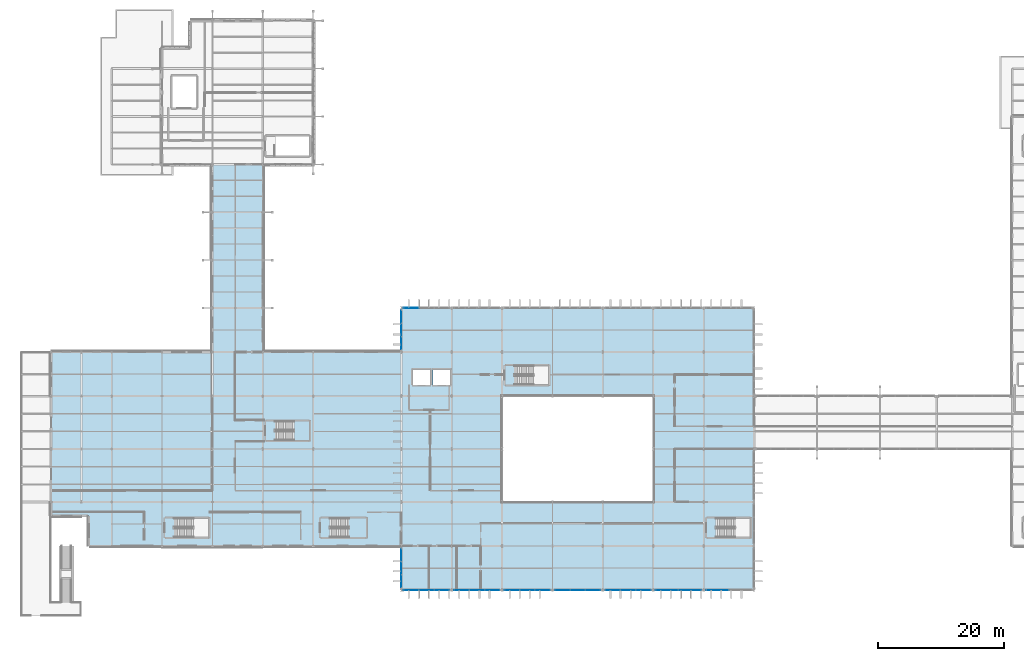
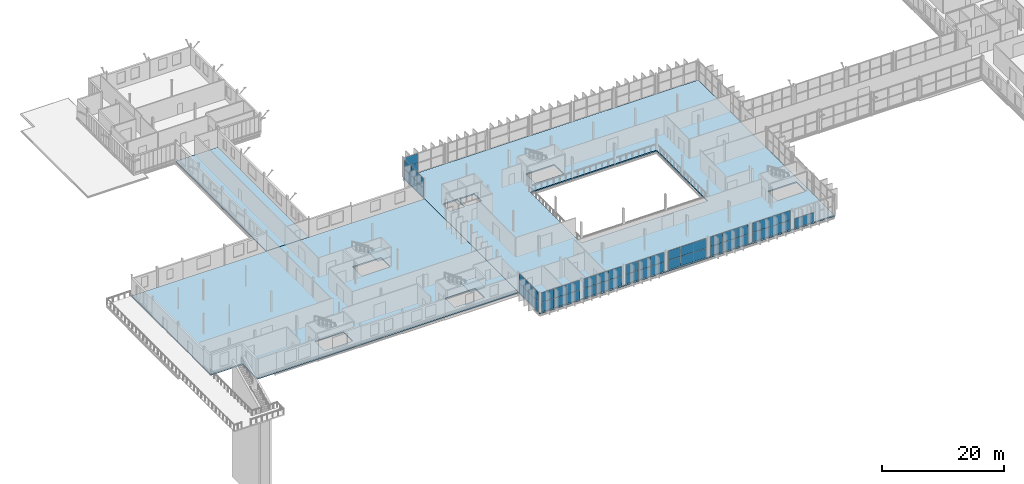
# One storey, part 68 of 101: 49 plates, 5 slabs, 12 elements without a shape of their own.
"""IFC4 building model written with IfcOpenShell, lengths in metres."""

from ifc_helpers import new_model, si_unit, direction, frame, origin, origin_2d, place, context, subcontext, project, spatial, polyline, rectangle, outline, extrude, material, layer, layer_set, type_object, element, aggregate, save


model = new_model("IFC4")

# Units and contexts
model_context = context("Model", 3, precision=1e-05, world=origin(), true_north=direction((0.0, 1.0)))
body_context = subcontext(model_context, "Body", "Model", "MODEL_VIEW")
ifc_project = project(units=[si_unit("LENGTHUNIT", "METRE"), si_unit("AREAUNIT", "SQUARE_METRE"), si_unit("VOLUMEUNIT", "CUBIC_METRE"), si_unit("PLANEANGLEUNIT", "RADIAN"), si_unit("MASSUNIT", "GRAM", prefix="KILO")], contexts=[model_context])

# Site, building, storey
site_placement = place(None, origin())
site = spatial("IfcSite", under=ifc_project, at=site_placement, CompositionType="ELEMENT")
building_placement = place(site_placement, origin())
building = spatial("IfcBuilding", under=site, at=building_placement, Name="Vekula Escarpment Museum", CompositionType="ELEMENT")
storey_placement = place(building_placement, frame((0.0, 0.0, 18.0)))
storey = spatial("IfcBuildingStorey", under=building, at=storey_placement, Name="L04", CompositionType="ELEMENT", Elevation=18.0)

# Curtain wall, plates
ifc_material_1 = material(Name="Aluminium thermally broken framing", Category="aluminium")
ifc_layer_1 = layer(ifc_material_1, 0.159912109375)
ifc_layer_set_1 = layer_set([ifc_layer_1], Name="Aluminium thermally broken framing")
curtain_wall_type_1 = type_object("IfcCurtainWallType", Name="CW-SYS-02", PredefinedType="NOTDEFINED", material=ifc_layer_set_1)
curtain_wall_1_placement = place(storey_placement, origin())
curtain_wall_1 = element("IfcCurtainWall", 1, at=curtain_wall_1_placement, inside=storey, type_object=curtain_wall_type_1, Name="Curtain Wall CW-L04-132", PredefinedType="NOTDEFINED")
ifc_material_2 = material(Name="Double solar-control low-E glass", Category="glass")
ifc_layer_2 = layer(ifc_material_2, 0.028076171875)
ifc_layer_set_2 = layer_set([ifc_layer_2], Name="Double solar-control low-E glass")
plate_type_1 = type_object("IfcPlateType", Name="CW-PNL-28", PredefinedType="CURTAIN_PANEL", material=ifc_layer_set_2)
plate_1_placement = place(storey_placement, frame((71.58837890625, 45.60009765625, 0.06005859375), z_axis=(0.0, 0.0, 1.0), x_axis=(1.0, 0.0, 0.0)))
plate_1 = element("IfcPlate", 2, at=plate_1_placement, type_object=plate_type_1, Name="CW-02 panel 1.1", PredefinedType="CURTAIN_PANEL", context=body_context, shape_type="SweptSolid", body=[
    extrude(rectangle(XDim=2.336669921875, YDim=0.028076171875, at=origin_2d()), origin(), (0.0, 0.0, 1.0), 1.89990234375),
])
plate_2_placement = place(storey_placement, frame((71.58837890625, 45.60009765625, 2.02001953125), z_axis=(0.0, 0.0, 1.0), x_axis=(1.0, 0.0, 0.0)))
plate_2 = element("IfcPlate", 3, at=plate_2_placement, type_object=plate_type_1, Name="CW-02 panel 1.2", PredefinedType="CURTAIN_PANEL", context=body_context, shape_type="SweptSolid", body=[
    extrude(rectangle(XDim=2.336669921875, YDim=0.028076171875, at=origin_2d()), origin(), (0.0, 0.0, 1.0), 1.89990234375),
])
plate_3_placement = place(storey_placement, frame((74.0, 45.60009765625, 0.06005859375), z_axis=(0.0, 0.0, 1.0), x_axis=(1.0, 0.0, 0.0)))
plate_3 = element("IfcPlate", 4, at=plate_3_placement, type_object=plate_type_1, Name="CW-02 panel 2.1", PredefinedType="CURTAIN_PANEL", context=body_context, shape_type="SweptSolid", body=[
    extrude(rectangle(XDim=2.36669921875, YDim=0.028076171875, at=origin_2d()), origin(), (0.0, 0.0, 1.0), 1.89990234375),
])
plate_4_placement = place(storey_placement, frame((74.0, 45.60009765625, 2.02001953125), z_axis=(0.0, 0.0, 1.0), x_axis=(1.0, 0.0, 0.0)))
plate_4 = element("IfcPlate", 5, at=plate_4_placement, type_object=plate_type_1, Name="CW-02 panel 2.2", PredefinedType="CURTAIN_PANEL", context=body_context, shape_type="SweptSolid", body=[
    extrude(rectangle(XDim=2.36669921875, YDim=0.028076171875, at=origin_2d()), origin(), (0.0, 0.0, 1.0), 1.89990234375),
])
plate_5_placement = place(storey_placement, frame((76.41162109375, 45.60009765625, 0.06005859375), z_axis=(0.0, 0.0, 1.0), x_axis=(1.0, 0.0, 0.0)))
plate_5 = element("IfcPlate", 6, at=plate_5_placement, type_object=plate_type_1, Name="CW-02 panel 3.1", PredefinedType="CURTAIN_PANEL", context=body_context, shape_type="SweptSolid", body=[
    extrude(rectangle(XDim=2.336669921875, YDim=0.028076171875, at=origin_2d()), origin(), (0.0, 0.0, 1.0), 1.89990234375),
])
plate_6_placement = place(storey_placement, frame((76.41162109375, 45.60009765625, 2.02001953125), z_axis=(0.0, 0.0, 1.0), x_axis=(1.0, 0.0, 0.0)))
plate_6 = element("IfcPlate", 7, at=plate_6_placement, type_object=plate_type_1, Name="CW-02 panel 3.2", PredefinedType="CURTAIN_PANEL", context=body_context, shape_type="SweptSolid", body=[
    extrude(rectangle(XDim=2.336669921875, YDim=0.028076171875, at=origin_2d()), origin(), (0.0, 0.0, 1.0), 1.89990234375),
])
aggregate(curtain_wall_1, [plate_1, plate_2, plate_3, plate_4, plate_5, plate_6])

ifc_material_3 = material(Name="Aluminium thermally broken framing", Category="aluminium")
ifc_layer_3 = layer(ifc_material_3, 0.139892578125)
ifc_layer_set_3 = layer_set([ifc_layer_3], Name="Aluminium thermally broken framing")
curtain_wall_type_2 = type_object("IfcCurtainWallType", Name="CW-SYS-06", PredefinedType="NOTDEFINED", material=ifc_layer_set_3)
curtain_wall_2_placement = place(storey_placement, origin())
curtain_wall_2 = element("IfcCurtainWall", 8, at=curtain_wall_2_placement, inside=storey, type_object=curtain_wall_type_2, Name="Curtain Wall CW-L04-136", PredefinedType="NOTDEFINED")
plate_7_placement = place(storey_placement, frame((103.58837890625, 45.60009765625, 0.06005859375), z_axis=(0.0, 0.0, 1.0), x_axis=(1.0, 0.0, 0.0)))
plate_7 = element("IfcPlate", 9, at=plate_7_placement, type_object=plate_type_1, Name="CW-06 panel 1.1", PredefinedType="CURTAIN_PANEL", context=body_context, shape_type="SweptSolid", body=[
    extrude(rectangle(XDim=2.336669921875, YDim=0.028076171875, at=origin_2d()), origin(), (0.0, 0.0, 1.0), 1.89990234375),
])
plate_8_placement = place(storey_placement, frame((103.58837890625, 45.60009765625, 2.02001953125), z_axis=(0.0, 0.0, 1.0), x_axis=(1.0, 0.0, 0.0)))
plate_8 = element("IfcPlate", 10, at=plate_8_placement, type_object=plate_type_1, Name="CW-06 panel 1.2", PredefinedType="CURTAIN_PANEL", context=body_context, shape_type="SweptSolid", body=[
    extrude(rectangle(XDim=2.336669921875, YDim=0.028076171875, at=origin_2d()), origin(), (0.0, 0.0, 1.0), 1.89990234375),
])
plate_9_placement = place(storey_placement, frame((106.0, 45.60009765625, 0.06005859375), z_axis=(0.0, 0.0, 1.0), x_axis=(1.0, 0.0, 0.0)))
plate_9 = element("IfcPlate", 11, at=plate_9_placement, type_object=plate_type_1, Name="CW-06 panel 2.1", PredefinedType="CURTAIN_PANEL", context=body_context, shape_type="SweptSolid", body=[
    extrude(rectangle(XDim=2.36669921875, YDim=0.028076171875, at=origin_2d()), origin(), (0.0, 0.0, 1.0), 1.89990234375),
])
plate_10_placement = place(storey_placement, frame((106.0, 45.60009765625, 2.02001953125), z_axis=(0.0, 0.0, 1.0), x_axis=(1.0, 0.0, 0.0)))
plate_10 = element("IfcPlate", 12, at=plate_10_placement, type_object=plate_type_1, Name="CW-06 panel 2.2", PredefinedType="CURTAIN_PANEL", context=body_context, shape_type="SweptSolid", body=[
    extrude(rectangle(XDim=2.36669921875, YDim=0.028076171875, at=origin_2d()), origin(), (0.0, 0.0, 1.0), 1.89990234375),
])
plate_11_placement = place(storey_placement, frame((108.41162109375, 45.60009765625, 0.06005859375), z_axis=(0.0, 0.0, 1.0), x_axis=(1.0, 0.0, 0.0)))
plate_11 = element("IfcPlate", 13, at=plate_11_placement, type_object=plate_type_1, Name="CW-06 panel 3.1", PredefinedType="CURTAIN_PANEL", context=body_context, shape_type="SweptSolid", body=[
    extrude(rectangle(XDim=2.336669921875, YDim=0.028076171875, at=origin_2d()), origin(), (0.0, 0.0, 1.0), 1.89990234375),
])
plate_12_placement = place(storey_placement, frame((108.41162109375, 45.60009765625, 2.02001953125), z_axis=(0.0, 0.0, 1.0), x_axis=(1.0, 0.0, 0.0)))
plate_12 = element("IfcPlate", 14, at=plate_12_placement, type_object=plate_type_1, Name="CW-06 panel 3.2", PredefinedType="CURTAIN_PANEL", context=body_context, shape_type="SweptSolid", body=[
    extrude(rectangle(XDim=2.336669921875, YDim=0.028076171875, at=origin_2d()), origin(), (0.0, 0.0, 1.0), 1.89990234375),
])
aggregate(curtain_wall_2, [plate_7, plate_8, plate_9, plate_10, plate_11, plate_12])

ifc_material_4 = material(Name="Aluminium thermally broken framing", Category="aluminium")
ifc_layer_4 = layer(ifc_material_4, 0.169921875)
ifc_layer_set_4 = layer_set([ifc_layer_4], Name="Aluminium thermally broken framing")
curtain_wall_type_3 = type_object("IfcCurtainWallType", Name="CW-SYS-10", PredefinedType="NOTDEFINED", material=ifc_layer_set_4)
curtain_wall_3_placement = place(storey_placement, origin())
curtain_wall_3 = element("IfcCurtainWall", 15, at=curtain_wall_3_placement, inside=storey, type_object=curtain_wall_type_3, Name="Curtain Wall CW-L04-160", PredefinedType="NOTDEFINED")
plate_13_placement = place(storey_placement, frame((71.58837890625, 90.39990234375, 0.06005859375), z_axis=(0.0, 0.0, 1.0), x_axis=(-1.0, 0.0, 0.0)))
plate_13 = element("IfcPlate", 16, at=plate_13_placement, type_object=plate_type_1, Name="CW-10 panel 3.1", PredefinedType="CURTAIN_PANEL", context=body_context, shape_type="SweptSolid", body=[
    extrude(rectangle(XDim=2.336669921875, YDim=0.028076171875, at=origin_2d()), origin(), (0.0, 0.0, 1.0), 1.89990234375),
])
plate_14_placement = place(storey_placement, frame((71.58837890625, 90.39990234375, 2.02001953125), z_axis=(0.0, 0.0, 1.0), x_axis=(-1.0, 0.0, 0.0)))
plate_14 = element("IfcPlate", 17, at=plate_14_placement, type_object=plate_type_1, Name="CW-10 panel 3.2", PredefinedType="CURTAIN_PANEL", context=body_context, shape_type="SweptSolid", body=[
    extrude(rectangle(XDim=2.336669921875, YDim=0.028076171875, at=origin_2d()), origin(), (0.0, 0.0, 1.0), 1.89990234375),
])
aggregate(curtain_wall_3, [plate_13, plate_14])

ifc_material_5 = material(Name="Aluminium thermally broken framing", Category="aluminium")
ifc_layer_5 = layer(ifc_material_5, 0.199951171875)
ifc_layer_set_5 = layer_set([ifc_layer_5], Name="Aluminium thermally broken framing")
curtain_wall_type_4 = type_object("IfcCurtainWallType", Name="CW-SYS-03", PredefinedType="NOTDEFINED", material=ifc_layer_set_5)
curtain_wall_4_placement = place(storey_placement, origin())
curtain_wall_4 = element("IfcCurtainWall", 18, at=curtain_wall_4_placement, inside=storey, type_object=curtain_wall_type_4, Name="Curtain Wall CW-L04-133", PredefinedType="NOTDEFINED")
ifc_material_6 = material(Name="Acoustic laminated double low-E glass", Category="glass")
ifc_layer_6 = layer(ifc_material_6, 0.031982421875)
ifc_layer_set_6 = layer_set([ifc_layer_6], Name="Acoustic laminated double low-E glass")
plate_type_2 = type_object("IfcPlateType", Name="CW-PNL-32", PredefinedType="CURTAIN_PANEL", material=ifc_layer_set_6)
plate_15_placement = place(storey_placement, frame((79.58837890625, 45.60009765625, 0.06005859375), z_axis=(0.0, 0.0, 1.0), x_axis=(1.0, 0.0, 0.0)))
plate_15 = element("IfcPlate", 19, at=plate_15_placement, type_object=plate_type_2, Name="CW-03 panel 1.1", PredefinedType="CURTAIN_PANEL", context=body_context, shape_type="SweptSolid", body=[
    extrude(rectangle(XDim=2.336669921875, YDim=0.031982421875, at=origin_2d()), origin(), (0.0, 0.0, 1.0), 1.89990234375),
])
plate_16_placement = place(storey_placement, frame((79.58837890625, 45.60009765625, 2.02001953125), z_axis=(0.0, 0.0, 1.0), x_axis=(1.0, 0.0, 0.0)))
plate_16 = element("IfcPlate", 20, at=plate_16_placement, type_object=plate_type_2, Name="CW-03 panel 1.2", PredefinedType="CURTAIN_PANEL", context=body_context, shape_type="SweptSolid", body=[
    extrude(rectangle(XDim=2.336669921875, YDim=0.031982421875, at=origin_2d()), origin(), (0.0, 0.0, 1.0), 1.89990234375),
])
plate_17_placement = place(storey_placement, frame((82.0, 45.60009765625, 0.06005859375), z_axis=(0.0, 0.0, 1.0), x_axis=(1.0, 0.0, 0.0)))
plate_17 = element("IfcPlate", 21, at=plate_17_placement, type_object=plate_type_2, Name="CW-03 panel 2.1", PredefinedType="CURTAIN_PANEL", context=body_context, shape_type="SweptSolid", body=[
    extrude(rectangle(XDim=2.36669921875, YDim=0.031982421875, at=origin_2d()), origin(), (0.0, 0.0, 1.0), 1.89990234375),
])
plate_18_placement = place(storey_placement, frame((82.0, 45.60009765625, 2.02001953125), z_axis=(0.0, 0.0, 1.0), x_axis=(1.0, 0.0, 0.0)))
plate_18 = element("IfcPlate", 22, at=plate_18_placement, type_object=plate_type_2, Name="CW-03 panel 2.2", PredefinedType="CURTAIN_PANEL", context=body_context, shape_type="SweptSolid", body=[
    extrude(rectangle(XDim=2.36669921875, YDim=0.031982421875, at=origin_2d()), origin(), (0.0, 0.0, 1.0), 1.89990234375),
])
plate_19_placement = place(storey_placement, frame((84.41162109375, 45.60009765625, 0.06005859375), z_axis=(0.0, 0.0, 1.0), x_axis=(1.0, 0.0, 0.0)))
plate_19 = element("IfcPlate", 23, at=plate_19_placement, type_object=plate_type_2, Name="CW-03 panel 3.1", PredefinedType="CURTAIN_PANEL", context=body_context, shape_type="SweptSolid", body=[
    extrude(rectangle(XDim=2.336669921875, YDim=0.031982421875, at=origin_2d()), origin(), (0.0, 0.0, 1.0), 1.89990234375),
])
plate_20_placement = place(storey_placement, frame((84.41162109375, 45.60009765625, 2.02001953125), z_axis=(0.0, 0.0, 1.0), x_axis=(1.0, 0.0, 0.0)))
plate_20 = element("IfcPlate", 24, at=plate_20_placement, type_object=plate_type_2, Name="CW-03 panel 3.2", PredefinedType="CURTAIN_PANEL", context=body_context, shape_type="SweptSolid", body=[
    extrude(rectangle(XDim=2.336669921875, YDim=0.031982421875, at=origin_2d()), origin(), (0.0, 0.0, 1.0), 1.89990234375),
])
aggregate(curtain_wall_4, [plate_15, plate_16, plate_17, plate_18, plate_19, plate_20])

ifc_material_7 = material(Name="Aluminium thermally broken framing", Category="aluminium")
ifc_layer_7 = layer(ifc_material_7, 0.179931640625)
ifc_layer_set_7 = layer_set([ifc_layer_7], Name="Aluminium thermally broken framing")
curtain_wall_type_5 = type_object("IfcCurtainWallType", Name="CW-SYS-07", PredefinedType="NOTDEFINED", material=ifc_layer_set_7)
curtain_wall_5_placement = place(storey_placement, origin())
curtain_wall_5 = element("IfcCurtainWall", 25, at=curtain_wall_5_placement, inside=storey, type_object=curtain_wall_type_5, Name="Curtain Wall CW-L04-137", PredefinedType="NOTDEFINED")
plate_21_placement = place(storey_placement, frame((112.195068359375, 45.60009765625, 0.06005859375), z_axis=(0.0, 0.0, 1.0), x_axis=(1.0, 0.0, 0.0)))
plate_21 = element("IfcPlate", 26, at=plate_21_placement, type_object=plate_type_2, Name="CW-07 panel 1.1", PredefinedType="CURTAIN_PANEL", context=body_context, shape_type="SweptSolid", body=[
    extrude(rectangle(XDim=3.550048828125, YDim=0.031982421875, at=origin_2d()), origin(), (0.0, 0.0, 1.0), 1.89990234375),
])
plate_22_placement = place(storey_placement, frame((112.195068359375, 45.60009765625, 2.02001953125), z_axis=(0.0, 0.0, 1.0), x_axis=(1.0, 0.0, 0.0)))
plate_22 = element("IfcPlate", 27, at=plate_22_placement, type_object=plate_type_2, Name="CW-07 panel 1.2", PredefinedType="CURTAIN_PANEL", context=body_context, shape_type="SweptSolid", body=[
    extrude(rectangle(XDim=3.550048828125, YDim=0.031982421875, at=origin_2d()), origin(), (0.0, 0.0, 1.0), 1.89990234375),
])
plate_23_placement = place(storey_placement, frame((115.804931640625, 45.60009765625, 0.06005859375), z_axis=(0.0, 0.0, 1.0), x_axis=(1.0, 0.0, 0.0)))
plate_23 = element("IfcPlate", 28, at=plate_23_placement, type_object=plate_type_2, Name="CW-07 panel 2.1", PredefinedType="CURTAIN_PANEL", context=body_context, shape_type="SweptSolid", body=[
    extrude(rectangle(XDim=3.550048828125, YDim=0.031982421875, at=origin_2d()), origin(), (0.0, 0.0, 1.0), 1.89990234375),
])
plate_24_placement = place(storey_placement, frame((115.804931640625, 45.60009765625, 2.02001953125), z_axis=(0.0, 0.0, 1.0), x_axis=(1.0, 0.0, 0.0)))
plate_24 = element("IfcPlate", 29, at=plate_24_placement, type_object=plate_type_2, Name="CW-07 panel 2.2", PredefinedType="CURTAIN_PANEL", context=body_context, shape_type="SweptSolid", body=[
    extrude(rectangle(XDim=3.550048828125, YDim=0.031982421875, at=origin_2d()), origin(), (0.0, 0.0, 1.0), 1.89990234375),
])
aggregate(curtain_wall_5, [plate_21, plate_22, plate_23, plate_24])

ifc_material_8 = material(Name="Aluminium thermally broken framing", Category="aluminium")
ifc_layer_8 = layer(ifc_material_8, 0.159912109375)
ifc_layer_set_8 = layer_set([ifc_layer_8], Name="Aluminium thermally broken framing")
curtain_wall_type_6 = type_object("IfcCurtainWallType", Name="CW-SYS-01", PredefinedType="NOTDEFINED", material=ifc_layer_set_8)
curtain_wall_6_placement = place(storey_placement, origin())
curtain_wall_6 = element("IfcCurtainWall", 30, at=curtain_wall_6_placement, inside=storey, type_object=curtain_wall_type_6, Name="Curtain Wall CW-L04-161", PredefinedType="NOTDEFINED")
plate_25_placement = place(storey_placement, frame((70.0, 88.978271484375, 0.06005859375), z_axis=(0.0, 0.0, 1.0), x_axis=(0.0, -1.0, 0.0)))
plate_25 = element("IfcPlate", 31, at=plate_25_placement, type_object=plate_type_2, Name="CW-01 panel 1.1", PredefinedType="CURTAIN_PANEL", context=body_context, shape_type="SweptSolid", body=[
    extrude(rectangle(XDim=2.00341796875, YDim=0.031982421875, at=origin_2d()), origin(), (0.0, 0.0, 1.0), 1.89990234375),
])
plate_26_placement = place(storey_placement, frame((70.0, 88.978271484375, 2.02001953125), z_axis=(0.0, 0.0, 1.0), x_axis=(0.0, -1.0, 0.0)))
plate_26 = element("IfcPlate", 32, at=plate_26_placement, type_object=plate_type_2, Name="CW-01 panel 1.2", PredefinedType="CURTAIN_PANEL", context=body_context, shape_type="SweptSolid", body=[
    extrude(rectangle(XDim=2.00341796875, YDim=0.031982421875, at=origin_2d()), origin(), (0.0, 0.0, 1.0), 1.89990234375),
])
plate_27_placement = place(storey_placement, frame((70.0, 86.89990234375, 0.06005859375), z_axis=(0.0, 0.0, 1.0), x_axis=(0.0, -1.0, 0.0)))
plate_27 = element("IfcPlate", 33, at=plate_27_placement, type_object=plate_type_2, Name="CW-01 panel 2.1", PredefinedType="CURTAIN_PANEL", context=body_context, shape_type="SweptSolid", body=[
    extrude(rectangle(XDim=2.033447265625, YDim=0.031982421875, at=origin_2d()), origin(), (0.0, 0.0, 1.0), 1.89990234375),
])
plate_28_placement = place(storey_placement, frame((70.0, 86.89990234375, 2.02001953125), z_axis=(0.0, 0.0, 1.0), x_axis=(0.0, -1.0, 0.0)))
plate_28 = element("IfcPlate", 34, at=plate_28_placement, type_object=plate_type_2, Name="CW-01 panel 2.2", PredefinedType="CURTAIN_PANEL", context=body_context, shape_type="SweptSolid", body=[
    extrude(rectangle(XDim=2.033447265625, YDim=0.031982421875, at=origin_2d()), origin(), (0.0, 0.0, 1.0), 1.89990234375),
])
plate_29_placement = place(storey_placement, frame((70.0, 84.82177734375, 0.06005859375), z_axis=(0.0, 0.0, 1.0), x_axis=(0.0, -1.0, 0.0)))
plate_29 = element("IfcPlate", 35, at=plate_29_placement, type_object=plate_type_2, Name="CW-01 panel 3.1", PredefinedType="CURTAIN_PANEL", context=body_context, shape_type="SweptSolid", body=[
    extrude(rectangle(XDim=2.00341796875, YDim=0.031982421875, at=origin_2d()), origin(), (0.0, 0.0, 1.0), 1.89990234375),
])
plate_30_placement = place(storey_placement, frame((70.0, 84.82177734375, 2.02001953125), z_axis=(0.0, 0.0, 1.0), x_axis=(0.0, -1.0, 0.0)))
plate_30 = element("IfcPlate", 36, at=plate_30_placement, type_object=plate_type_2, Name="CW-01 panel 3.2", PredefinedType="CURTAIN_PANEL", context=body_context, shape_type="SweptSolid", body=[
    extrude(rectangle(XDim=2.00341796875, YDim=0.031982421875, at=origin_2d()), origin(), (0.0, 0.0, 1.0), 1.89990234375),
])
aggregate(curtain_wall_6, [plate_25, plate_26, plate_27, plate_28, plate_29, plate_30])

ifc_material_9 = material(Name="Aluminium thermally broken framing", Category="aluminium")
ifc_layer_9 = layer(ifc_material_9, 0.199951171875)
ifc_layer_set_9 = layer_set([ifc_layer_9], Name="Aluminium thermally broken framing")
curtain_wall_type_7 = type_object("IfcCurtainWallType", Name="CW-SYS-04", PredefinedType="NOTDEFINED", material=ifc_layer_set_9)
curtain_wall_7_placement = place(storey_placement, origin())
curtain_wall_7 = element("IfcCurtainWall", 37, at=curtain_wall_7_placement, inside=storey, type_object=curtain_wall_type_7, Name="Curtain Wall CW-L04-134", PredefinedType="NOTDEFINED")
ifc_material_10 = material(Name="Triple UV-filtered museum gallery glass", Category="glass")
ifc_layer_10 = layer(ifc_material_10, 0.035888671875)
ifc_layer_set_10 = layer_set([ifc_layer_10], Name="Triple UV-filtered museum gallery glass")
plate_type_3 = type_object("IfcPlateType", Name="CW-PNL-36", PredefinedType="CURTAIN_PANEL", material=ifc_layer_set_10)
plate_31_placement = place(storey_placement, frame((87.58837890625, 45.60009765625, 0.06005859375), z_axis=(0.0, 0.0, 1.0), x_axis=(1.0, 0.0, 0.0)))
plate_31 = element("IfcPlate", 38, at=plate_31_placement, type_object=plate_type_3, Name="CW-04 panel 1.1", PredefinedType="CURTAIN_PANEL", context=body_context, shape_type="SweptSolid", body=[
    extrude(rectangle(XDim=2.336669921875, YDim=0.035888671875, at=origin_2d()), origin(), (0.0, 0.0, 1.0), 1.89990234375),
])
plate_32_placement = place(storey_placement, frame((87.58837890625, 45.60009765625, 2.02001953125), z_axis=(0.0, 0.0, 1.0), x_axis=(1.0, 0.0, 0.0)))
plate_32 = element("IfcPlate", 39, at=plate_32_placement, type_object=plate_type_3, Name="CW-04 panel 1.2", PredefinedType="CURTAIN_PANEL", context=body_context, shape_type="SweptSolid", body=[
    extrude(rectangle(XDim=2.336669921875, YDim=0.035888671875, at=origin_2d()), origin(), (0.0, 0.0, 1.0), 1.89990234375),
])
plate_33_placement = place(storey_placement, frame((90.0, 45.60009765625, 0.06005859375), z_axis=(0.0, 0.0, 1.0), x_axis=(1.0, 0.0, 0.0)))
plate_33 = element("IfcPlate", 40, at=plate_33_placement, type_object=plate_type_3, Name="CW-04 panel 2.1", PredefinedType="CURTAIN_PANEL", context=body_context, shape_type="SweptSolid", body=[
    extrude(rectangle(XDim=2.36669921875, YDim=0.035888671875, at=origin_2d()), origin(), (0.0, 0.0, 1.0), 1.89990234375),
])
plate_34_placement = place(storey_placement, frame((90.0, 45.60009765625, 2.02001953125), z_axis=(0.0, 0.0, 1.0), x_axis=(1.0, 0.0, 0.0)))
plate_34 = element("IfcPlate", 41, at=plate_34_placement, type_object=plate_type_3, Name="CW-04 panel 2.2", PredefinedType="CURTAIN_PANEL", context=body_context, shape_type="SweptSolid", body=[
    extrude(rectangle(XDim=2.36669921875, YDim=0.035888671875, at=origin_2d()), origin(), (0.0, 0.0, 1.0), 1.89990234375),
])
plate_35_placement = place(storey_placement, frame((92.41162109375, 45.60009765625, 0.06005859375), z_axis=(0.0, 0.0, 1.0), x_axis=(1.0, 0.0, 0.0)))
plate_35 = element("IfcPlate", 42, at=plate_35_placement, type_object=plate_type_3, Name="CW-04 panel 3.1", PredefinedType="CURTAIN_PANEL", context=body_context, shape_type="SweptSolid", body=[
    extrude(rectangle(XDim=2.336669921875, YDim=0.035888671875, at=origin_2d()), origin(), (0.0, 0.0, 1.0), 1.89990234375),
])
plate_36_placement = place(storey_placement, frame((92.41162109375, 45.60009765625, 2.02001953125), z_axis=(0.0, 0.0, 1.0), x_axis=(1.0, 0.0, 0.0)))
plate_36 = element("IfcPlate", 43, at=plate_36_placement, type_object=plate_type_3, Name="CW-04 panel 3.2", PredefinedType="CURTAIN_PANEL", context=body_context, shape_type="SweptSolid", body=[
    extrude(rectangle(XDim=2.336669921875, YDim=0.035888671875, at=origin_2d()), origin(), (0.0, 0.0, 1.0), 1.89990234375),
])
aggregate(curtain_wall_7, [plate_31, plate_32, plate_33, plate_34, plate_35, plate_36])

# Curtain wall, plate
ifc_material_11 = material(Name="Aluminium thermally broken framing", Category="aluminium")
ifc_layer_11 = layer(ifc_material_11, 0.179931640625)
ifc_layer_set_11 = layer_set([ifc_layer_11], Name="Aluminium thermally broken framing")
curtain_wall_type_8 = type_object("IfcCurtainWallType", Name="CW-SYS-08", PredefinedType="NOTDEFINED", material=ifc_layer_set_11)
curtain_wall_8_placement = place(storey_placement, origin())
curtain_wall_8 = element("IfcCurtainWall", 44, at=curtain_wall_8_placement, inside=storey, type_object=curtain_wall_type_8, Name="Curtain Wall CW-L04-138", PredefinedType="NOTDEFINED")
plate_37_placement = place(storey_placement, frame((120.195068359375, 45.60009765625, 0.06005859375), z_axis=(0.0, 0.0, 1.0), x_axis=(1.0, 0.0, 0.0)))
plate_37 = element("IfcPlate", 45, at=plate_37_placement, type_object=plate_type_3, Name="CW-08 panel 1.1", PredefinedType="CURTAIN_PANEL", context=body_context, shape_type="SweptSolid", body=[
    extrude(rectangle(XDim=3.550048828125, YDim=0.035888671875, at=origin_2d()), origin(), (0.0, 0.0, 1.0), 1.89990234375),
])
aggregate(curtain_wall_8, [plate_37])

# Curtain wall, plates
curtain_wall_9_placement = place(storey_placement, origin())
curtain_wall_9 = element("IfcCurtainWall", 46, at=curtain_wall_9_placement, inside=storey, type_object=curtain_wall_type_6, Name="Curtain Wall CW-L04-131", PredefinedType="NOTDEFINED")
ifc_material_12 = material(Name="Insulated bronze spandrel glass panel", Category="glass")
ifc_layer_12 = layer(ifc_material_12, 0.0400390625)
ifc_layer_set_12 = layer_set([ifc_layer_12], Name="Insulated bronze spandrel glass panel")
plate_type_4 = type_object("IfcPlateType", Name="CW-PNL-40", PredefinedType="CURTAIN_PANEL", material=ifc_layer_set_12)
plate_38_placement = place(storey_placement, frame((70.0, 51.17822265625, 0.06005859375), z_axis=(0.0, 0.0, 1.0), x_axis=(0.0, -1.0, 0.0)))
plate_38 = element("IfcPlate", 47, at=plate_38_placement, type_object=plate_type_4, Name="CW-01 panel 1.1", PredefinedType="CURTAIN_PANEL", context=body_context, shape_type="SweptSolid", body=[
    extrude(rectangle(XDim=2.00341796875, YDim=0.0400390625, at=origin_2d()), origin(), (0.0, 0.0, 1.0), 1.89990234375),
])
plate_39_placement = place(storey_placement, frame((70.0, 51.17822265625, 2.02001953125), z_axis=(0.0, 0.0, 1.0), x_axis=(0.0, -1.0, 0.0)))
plate_39 = element("IfcPlate", 48, at=plate_39_placement, type_object=plate_type_4, Name="CW-01 panel 1.2", PredefinedType="CURTAIN_PANEL", context=body_context, shape_type="SweptSolid", body=[
    extrude(rectangle(XDim=2.00341796875, YDim=0.0400390625, at=origin_2d()), origin(), (0.0, 0.0, 1.0), 1.89990234375),
])
plate_40_placement = place(storey_placement, frame((70.0, 49.10009765625, 0.06005859375), z_axis=(0.0, 0.0, 1.0), x_axis=(0.0, -1.0, 0.0)))
plate_40 = element("IfcPlate", 49, at=plate_40_placement, type_object=plate_type_4, Name="CW-01 panel 2.1", PredefinedType="CURTAIN_PANEL", context=body_context, shape_type="SweptSolid", body=[
    extrude(rectangle(XDim=2.033447265625, YDim=0.0400390625, at=origin_2d()), origin(), (0.0, 0.0, 1.0), 1.89990234375),
])
plate_41_placement = place(storey_placement, frame((70.0, 49.10009765625, 2.02001953125), z_axis=(0.0, 0.0, 1.0), x_axis=(0.0, -1.0, 0.0)))
plate_41 = element("IfcPlate", 50, at=plate_41_placement, type_object=plate_type_4, Name="CW-01 panel 2.2", PredefinedType="CURTAIN_PANEL", context=body_context, shape_type="SweptSolid", body=[
    extrude(rectangle(XDim=2.033447265625, YDim=0.0400390625, at=origin_2d()), origin(), (0.0, 0.0, 1.0), 1.89990234375),
])
plate_42_placement = place(storey_placement, frame((70.0, 47.021728515625, 0.06005859375), z_axis=(0.0, 0.0, 1.0), x_axis=(0.0, -1.0, 0.0)))
plate_42 = element("IfcPlate", 51, at=plate_42_placement, type_object=plate_type_4, Name="CW-01 panel 3.1", PredefinedType="CURTAIN_PANEL", context=body_context, shape_type="SweptSolid", body=[
    extrude(rectangle(XDim=2.00341796875, YDim=0.0400390625, at=origin_2d()), origin(), (0.0, 0.0, 1.0), 1.89990234375),
])
plate_43_placement = place(storey_placement, frame((70.0, 47.021728515625, 2.02001953125), z_axis=(0.0, 0.0, 1.0), x_axis=(0.0, -1.0, 0.0)))
plate_43 = element("IfcPlate", 52, at=plate_43_placement, type_object=plate_type_4, Name="CW-01 panel 3.2", PredefinedType="CURTAIN_PANEL", context=body_context, shape_type="SweptSolid", body=[
    extrude(rectangle(XDim=2.00341796875, YDim=0.0400390625, at=origin_2d()), origin(), (0.0, 0.0, 1.0), 1.89990234375),
])
aggregate(curtain_wall_9, [plate_38, plate_39, plate_40, plate_41, plate_42, plate_43])

ifc_material_13 = material(Name="Aluminium thermally broken framing", Category="aluminium")
ifc_layer_13 = layer(ifc_material_13, 0.159912109375)
ifc_layer_set_13 = layer_set([ifc_layer_13], Name="Aluminium thermally broken framing")
curtain_wall_type_9 = type_object("IfcCurtainWallType", Name="CW-SYS-05", PredefinedType="NOTDEFINED", material=ifc_layer_set_13)
curtain_wall_10_placement = place(storey_placement, origin())
curtain_wall_10 = element("IfcCurtainWall", 53, at=curtain_wall_10_placement, inside=storey, type_object=curtain_wall_type_9, Name="Curtain Wall CW-L04-135", PredefinedType="NOTDEFINED")
plate_44_placement = place(storey_placement, frame((95.58837890625, 45.60009765625, 0.06005859375), z_axis=(0.0, 0.0, 1.0), x_axis=(1.0, 0.0, 0.0)))
plate_44 = element("IfcPlate", 54, at=plate_44_placement, type_object=plate_type_4, Name="CW-05 panel 1.1", PredefinedType="CURTAIN_PANEL", context=body_context, shape_type="SweptSolid", body=[
    extrude(rectangle(XDim=2.336669921875, YDim=0.0400390625, at=origin_2d()), origin(), (0.0, 0.0, 1.0), 1.89990234375),
])
plate_45_placement = place(storey_placement, frame((95.58837890625, 45.60009765625, 2.02001953125), z_axis=(0.0, 0.0, 1.0), x_axis=(1.0, 0.0, 0.0)))
plate_45 = element("IfcPlate", 55, at=plate_45_placement, type_object=plate_type_4, Name="CW-05 panel 1.2", PredefinedType="CURTAIN_PANEL", context=body_context, shape_type="SweptSolid", body=[
    extrude(rectangle(XDim=2.336669921875, YDim=0.0400390625, at=origin_2d()), origin(), (0.0, 0.0, 1.0), 1.89990234375),
])
plate_46_placement = place(storey_placement, frame((98.0, 45.60009765625, 0.06005859375), z_axis=(0.0, 0.0, 1.0), x_axis=(1.0, 0.0, 0.0)))
plate_46 = element("IfcPlate", 56, at=plate_46_placement, type_object=plate_type_4, Name="CW-05 panel 2.1", PredefinedType="CURTAIN_PANEL", context=body_context, shape_type="SweptSolid", body=[
    extrude(rectangle(XDim=2.36669921875, YDim=0.0400390625, at=origin_2d()), origin(), (0.0, 0.0, 1.0), 1.89990234375),
])
plate_47_placement = place(storey_placement, frame((98.0, 45.60009765625, 2.02001953125), z_axis=(0.0, 0.0, 1.0), x_axis=(1.0, 0.0, 0.0)))
plate_47 = element("IfcPlate", 57, at=plate_47_placement, type_object=plate_type_4, Name="CW-05 panel 2.2", PredefinedType="CURTAIN_PANEL", context=body_context, shape_type="SweptSolid", body=[
    extrude(rectangle(XDim=2.36669921875, YDim=0.0400390625, at=origin_2d()), origin(), (0.0, 0.0, 1.0), 1.89990234375),
])
plate_48_placement = place(storey_placement, frame((100.41162109375, 45.60009765625, 0.06005859375), z_axis=(0.0, 0.0, 1.0), x_axis=(1.0, 0.0, 0.0)))
plate_48 = element("IfcPlate", 58, at=plate_48_placement, type_object=plate_type_4, Name="CW-05 panel 3.1", PredefinedType="CURTAIN_PANEL", context=body_context, shape_type="SweptSolid", body=[
    extrude(rectangle(XDim=2.336669921875, YDim=0.0400390625, at=origin_2d()), origin(), (0.0, 0.0, 1.0), 1.89990234375),
])
plate_49_placement = place(storey_placement, frame((100.41162109375, 45.60009765625, 2.02001953125), z_axis=(0.0, 0.0, 1.0), x_axis=(1.0, 0.0, 0.0)))
plate_49 = element("IfcPlate", 59, at=plate_49_placement, type_object=plate_type_4, Name="CW-05 panel 3.2", PredefinedType="CURTAIN_PANEL", context=body_context, shape_type="SweptSolid", body=[
    extrude(rectangle(XDim=2.336669921875, YDim=0.0400390625, at=origin_2d()), origin(), (0.0, 0.0, 1.0), 1.89990234375),
])
aggregate(curtain_wall_10, [plate_44, plate_45, plate_46, plate_47, plate_48, plate_49])

# Slabs
ifc_material_14 = material(Name="Concrete C35/45", Category="concrete")
ifc_layer_14 = layer(ifc_material_14, 0.239990234375)
ifc_layer_set_14 = layer_set([ifc_layer_14], Name="Concrete C35/45")
slab_type_1 = type_object("IfcSlabType", Name="SL-FLR-240", PredefinedType="FLOOR", material=ifc_layer_set_14)
slab_1_placement = place(storey_placement, frame((0.0, 0.0, -0.239990234375)))
element("IfcSlab", 60, at=slab_1_placement, inside=storey, type_object=slab_type_1, Name="Floor Slab W-L04-V5-LNK", PredefinedType="FLOOR", context=body_context, shape_type="SweptSolid", body=[
    extrude(outline(polyline([(40.0, 83.39990234375), (48.0, 83.39990234375), (48.0, 113.199951171875), (40.0, 113.199951171875), (40.0, 83.39990234375)])), origin(), (0.0, 0.0, 1.0), 0.239990234375),
])
slab_2_placement = place(storey_placement, frame((0.0, 0.0, -0.239990234375)))
element("IfcSlab", 61, at=slab_2_placement, inside=storey, type_object=slab_type_1, Name="Floor Slab W-L04-V2-W", PredefinedType="FLOOR", context=body_context, shape_type="SweptSolid", body=[
    extrude(outline(polyline([(20.39990234375, 52.60009765625), (70.0, 52.60009765625), (70.0, 83.39990234375), (14.39990234375, 83.39990234375), (14.39990234375, 57.39990234375), (20.39990234375, 57.39990234375), (20.39990234375, 52.60009765625)]), holes=[polyline([(58.679931640625, 54.0), (64.39990234375, 54.0), (64.39990234375, 57.0400390625), (58.679931640625, 57.0400390625), (58.679931640625, 54.0)]), polyline([(33.97998046875, 54.0), (39.39990234375, 54.0), (39.39990234375, 57.0400390625), (33.97998046875, 57.0400390625), (33.97998046875, 54.0)]), polyline([(49.97998046875, 69.39990234375), (55.39990234375, 69.39990234375), (55.39990234375, 72.43994140625), (49.97998046875, 72.43994140625), (49.97998046875, 69.39990234375)])]), origin(), (0.0, 0.0, 1.0), 0.239990234375),
])
slab_3_placement = place(storey_placement, frame((0.0, 0.0, -0.239990234375)))
element("IfcSlab", 62, at=slab_3_placement, inside=storey, type_object=slab_type_1, Name="Floor Slab W-L04-V1-C", PredefinedType="FLOOR", context=body_context, shape_type="SweptSolid", body=[
    extrude(outline(polyline([(70.0, 45.60009765625), (126.0, 45.60009765625), (126.0, 90.39990234375), (70.0, 90.39990234375), (70.0, 45.60009765625)]), holes=[polyline([(86.0, 59.60009765625), (110.0, 59.60009765625), (110.0, 76.39990234375), (86.0, 76.39990234375), (86.0, 59.60009765625)]), polyline([(119.97998046875, 54.0), (125.39990234375, 54.0), (125.39990234375, 57.0400390625), (119.97998046875, 57.0400390625), (119.97998046875, 54.0)]), polyline([(87.97998046875, 78.199951171875), (93.39990234375, 78.199951171875), (93.39990234375, 81.239990234375), (87.97998046875, 81.239990234375), (87.97998046875, 78.199951171875)]), polyline([(71.800048828125, 78.199951171875), (74.60009765625, 78.199951171875), (74.60009765625, 80.60009765625), (71.800048828125, 80.60009765625), (71.800048828125, 78.199951171875)]), polyline([(75.0, 78.199951171875), (77.800048828125, 78.199951171875), (77.800048828125, 80.60009765625), (75.0, 80.60009765625), (75.0, 78.199951171875)])]), origin(), (0.0, 0.0, 1.0), 0.239990234375),
])

# Stair, slab
ifc_material_15 = material(Name="Concrete C35/45", Category="concrete")
stair_type = type_object("IfcStairType", Name="STR-TYPE-142", PredefinedType="HALF_TURN_STAIR", material=ifc_material_15)
stair_1_placement = place(storey_placement, origin())
stair_1 = element("IfcStair", 63, at=stair_1_placement, inside=storey, type_object=stair_type, Name="L04 Central West Exit Stair ST-01", PredefinedType="HALF_TURN_STAIR")
ifc_material_16 = material(Name="Concrete C35/45", Category="concrete")
ifc_layer_15 = layer(ifc_material_16, 0.199951171875)
ifc_layer_set_15 = layer_set([ifc_layer_15], Name="Concrete C35/45")
slab_type_2 = type_object("IfcSlabType", Name="SL-LAND-200", PredefinedType="LANDING", material=ifc_layer_set_15)
slab_4_placement = place(storey_placement, frame((0.0, 0.0, 1.89990234375)))
slab_4 = element("IfcSlab", 64, at=slab_4_placement, type_object=slab_type_2, Name="ST-01 landing 1", PredefinedType="LANDING", context=body_context, shape_type="SweptSolid", body=[
    extrude(outline(polyline([(61.610107421875, 53.909912109375), (64.489990234375, 53.909912109375), (64.489990234375, 57.1298828125), (61.610107421875, 57.1298828125), (61.610107421875, 53.909912109375)])), origin(), (0.0, 0.0, 1.0), 0.2001953125),
])
aggregate(stair_1, [slab_4])

stair_2_placement = place(storey_placement, origin())
stair_2 = element("IfcStair", 65, at=stair_2_placement, inside=storey, type_object=stair_type, Name="L04 Plinth Mid Exit Stair ST-10", PredefinedType="HALF_TURN_STAIR")
slab_5_placement = place(storey_placement, frame((0.0, 0.0, 1.89990234375)))
slab_5 = element("IfcSlab", 66, at=slab_5_placement, type_object=slab_type_2, Name="ST-10 landing 1", PredefinedType="LANDING", context=body_context, shape_type="SweptSolid", body=[
    extrude(outline(polyline([(52.909912109375, 69.31005859375), (55.489990234375, 69.31005859375), (55.489990234375, 72.530029296875), (52.909912109375, 72.530029296875), (52.909912109375, 69.31005859375)])), origin(), (0.0, 0.0, 1.0), 0.2001953125),
])
aggregate(stair_2, [slab_5])

save(model, "model.ifc")
